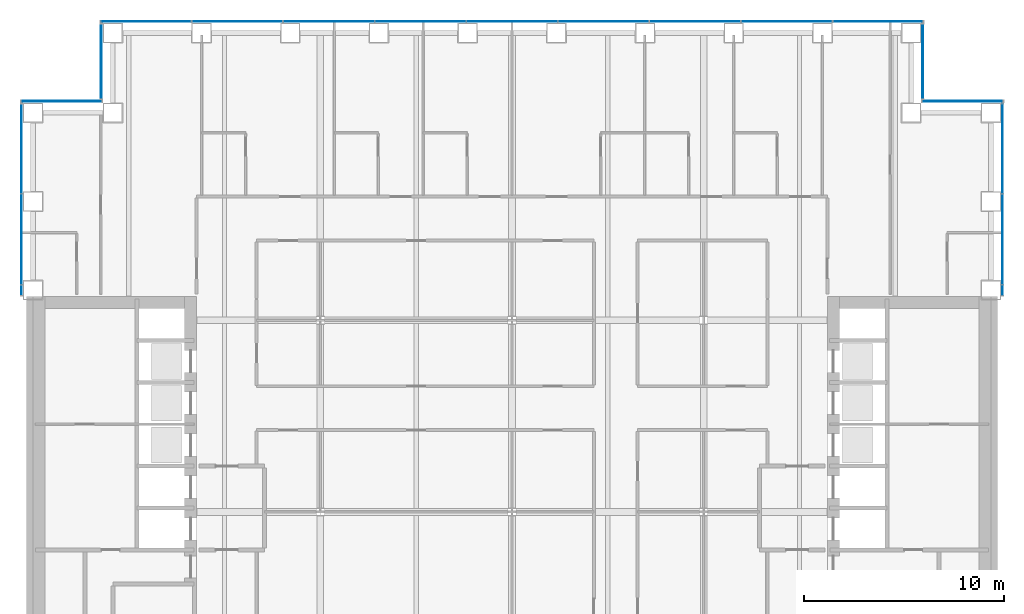
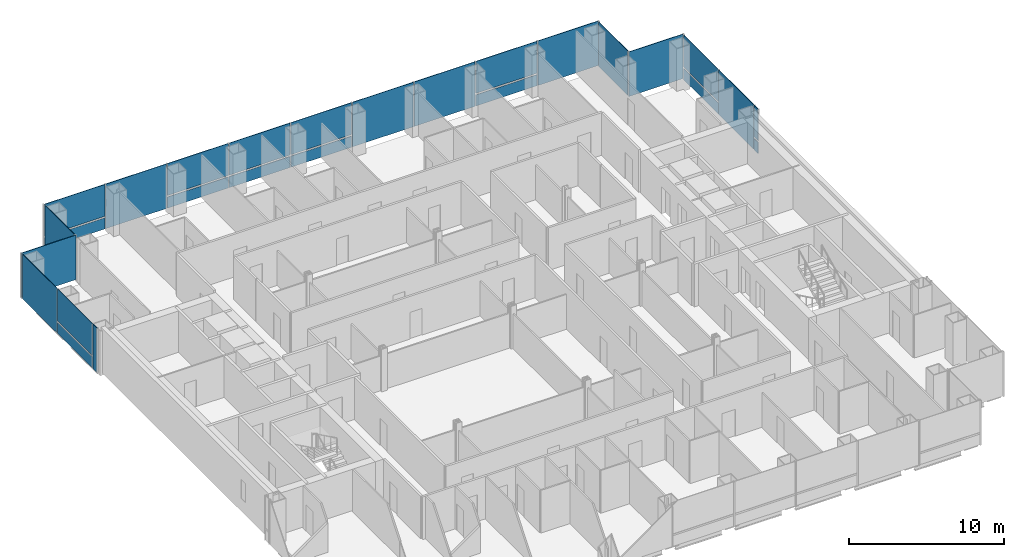
# One storey, part 15 of 23: 27 plates, 7 elements without a shape of their own.
"""IFC4 building model written with IfcOpenShell, lengths in metres."""

import ifcopenshell
import ifcopenshell.guid

model = None  # the IFC model being written
_history = None  # IfcOwnerHistory: only IFC2X3 demands one
_inside = {}  # id of a spatial element -> (the spatial element, [elements in it])
_under = {}  # id of a project, library or spatial element -> (it, [spatial elements below it])
_declared = {}  # id of a project -> (the project, [libraries it declares])
_typed = {}  # id of a type object -> (the type object, [elements of that type])
_made_of = {}  # id of a material, layer set ... -> (it, [elements and type objects made of it])


def new_model(schema):
    """Start an empty IFC model of exactly this schema.

    Asked for "IFC4X3", IfcOpenShell would pick the latest addendum, in which some entities
    have other attributes; the version numbers below select the first issue.
    IFC2X3 requires an IfcOwnerHistory on every rooted entity: one is made here for all.
    """
    global model, _history
    if schema == "IFC4X3":
        model = ifcopenshell.file(schema_version=(4, 3, 0, 0))
    else:
        model = ifcopenshell.file(schema=schema)
    _inside.clear()
    _under.clear()
    _declared.clear()
    _typed.clear()
    _made_of.clear()
    _history = None
    if model.schema == "IFC2X3":
        org = make("IfcOrganization", Name="unknown")
        user = make(
            "IfcPersonAndOrganization",
            ThePerson=make("IfcPerson", FamilyName="unknown"),
            TheOrganization=org,
        )
        app = make(
            "IfcApplication",
            ApplicationDeveloper=org,
            Version="unknown",
            ApplicationFullName="unknown",
            ApplicationIdentifier="unknown",
        )
        _history = make(
            "IfcOwnerHistory",
            OwningUser=user,
            OwningApplication=app,
            ChangeAction="ADDED",
            CreationDate=0,
        )
    return model


def make(cls, **values):
    """One entity of the class cls with the attributes given. An attribute that is None is left unset."""
    return model.create_entity(
        cls, **{name: value for name, value in values.items() if value is not None}
    )


def rooted(cls, **values):
    """An entity with a GlobalId (a new one), such as an element, a storey or a relation."""
    return make(cls, GlobalId=ifcopenshell.guid.new(), OwnerHistory=_history, **values)


def si_unit(unit_type, name, prefix=None):
    """IfcSIUnit, for example si_unit("LENGTHUNIT", "METRE", prefix="MILLI")."""
    return make("IfcSIUnit", UnitType=unit_type, Prefix=prefix, Name=name)


def assignment(units):
    """IfcUnitAssignment: the units of a project."""
    return None if units is None else make("IfcUnitAssignment", Units=units)


def point(xyz):
    """IfcCartesianPoint."""
    return None if xyz is None else make("IfcCartesianPoint", Coordinates=xyz)


def direction(xyz):
    """IfcDirection."""
    return None if xyz is None else make("IfcDirection", DirectionRatios=xyz)


def frame(location, z_axis=None, x_axis=None):
    """IfcAxis2Placement3D, a coordinate frame: its origin and axes. An axis left out is left unset."""
    return make(
        "IfcAxis2Placement3D",
        Location=point(location),
        Axis=direction(z_axis),
        RefDirection=direction(x_axis),
    )


def frame_2d(location, x_axis=None):
    """IfcAxis2Placement2D, a coordinate frame in the plane: its origin and x axis."""
    return make(
        "IfcAxis2Placement2D", Location=point(location), RefDirection=direction(x_axis)
    )


def origin():
    """The frame at (0, 0, 0) with its axes left unset."""
    return frame((0.0, 0.0, 0.0))


def origin_2d():
    """The frame at (0, 0) in the plane with its x axis left unset."""
    return frame_2d((0.0, 0.0))


def place(relative_to, where):
    """IfcLocalPlacement: puts the frame where relative to a parent placement (None: the world)."""
    return make(
        "IfcLocalPlacement", PlacementRelTo=relative_to, RelativePlacement=where
    )


def context(
    kind, dimensions, precision=None, world=None, true_north=None, identifier=None
):
    """IfcGeometricRepresentationContext, for example the 3D "Model" context."""
    return make(
        "IfcGeometricRepresentationContext",
        ContextIdentifier=identifier,
        ContextType=kind,
        CoordinateSpaceDimension=dimensions,
        Precision=precision,
        WorldCoordinateSystem=world,
        TrueNorth=true_north,
    )


def subcontext(parent, identifier, kind, view, scale=None):
    """IfcGeometricRepresentationSubContext, for example "Body" below "Model"."""
    return make(
        "IfcGeometricRepresentationSubContext",
        ContextIdentifier=identifier,
        ContextType=kind,
        ParentContext=parent,
        TargetScale=scale,
        TargetView=view,
    )


def project(units=None, contexts=None):
    """IfcProject with its units and contexts."""
    return rooted(
        "IfcProject",
        Name="project",
        RepresentationContexts=contexts,
        UnitsInContext=assignment(units),
    )


def spatial(cls, under=None, at=None, **own):
    """A site, building, storey or space (cls), placed at a placement, below another one or the project."""
    s = rooted(cls, ObjectPlacement=at, **own)
    if under is not None:
        _under.setdefault(under.id(), (under, []))[1].append(s)
    return s


def profile(cls, at=None, kind="AREA", **sizes):
    """A parametric profile (cls). Its sizes go by their IFC names, for example OverallWidth=200.0."""
    return make(cls, ProfileType=kind, Position=at, **sizes)


def rectangle(**sizes):
    """IfcRectangleProfileDef."""
    return profile("IfcRectangleProfileDef", **sizes)


def extrude(swept, where, along, depth):
    """IfcExtrudedAreaSolid: the profile swept, set in the frame where, extruded along a direction by depth."""
    return make(
        "IfcExtrudedAreaSolid",
        SweptArea=swept,
        Position=where,
        ExtrudedDirection=direction(along),
        Depth=depth,
    )


def shape(context_of_items, identifier, shape_type, items):
    """IfcShapeRepresentation: the items that make up one representation, for example the "Body"."""
    return make(
        "IfcShapeRepresentation",
        ContextOfItems=context_of_items,
        RepresentationIdentifier=identifier,
        RepresentationType=shape_type,
        Items=items,
    )


def material(Name=None, Category=None):
    """IfcMaterial."""
    return make("IfcMaterial", Name=Name, Category=Category)


def layer(
    of_material, thickness, ventilated=None, Name=None, Category=None, Priority=None
):
    """IfcMaterialLayer: one layer of a wall or slab, of a material (None: an air gap)."""
    return make(
        "IfcMaterialLayer",
        Material=of_material,
        LayerThickness=thickness,
        IsVentilated=ventilated,
        Name=Name,
        Category=Category,
        Priority=Priority,
    )


def layer_set(layers, Name=None):
    """IfcMaterialLayerSet."""
    return make("IfcMaterialLayerSet", MaterialLayers=layers, LayerSetName=Name)


def made_of(thing, what):
    """Note that an element or type object is made of a material, layer set ...; save() writes the relation."""
    if what is not None:
        _made_of.setdefault(what.id(), (what, []))[1].append(thing)
    return thing


def type_object(cls, material=None, **own):
    """A type object (cls), such as IfcWallType, which elements share."""
    return made_of(rooted(cls, **own), material)


def element(
    cls,
    number,
    at=None,
    inside=None,
    cuts=None,
    type_object=None,
    material=None,
    context=None,
    identifier="Body",
    shape_type=None,
    held_by="IfcProductDefinitionShape",
    body=None,
    shapes=None,
    **own,
):
    """One element of the class cls, such as IfcWall. Its Tag is "e" and its number.

    at: its placement. inside: the storey or other place that contains it. cuts: it is an
    opening in that element (IfcRelVoidsElement). A single representation is given by context,
    identifier, shape_type and body (its items); several are given by shapes. held_by: the class
    of the entity that holds the representations. save() writes the other relations.
    """
    e = rooted(cls, Tag="e%d" % number, ObjectPlacement=at, **own)
    if body is not None:
        shapes = [shape(context, identifier, shape_type, body)]
    if shapes is not None:
        e.Representation = make(held_by, Representations=shapes)
    if inside is not None:
        _inside.setdefault(inside.id(), (inside, []))[1].append(e)
    if cuts is not None:
        rooted(
            "IfcRelVoidsElement", RelatingBuildingElement=cuts, RelatedOpeningElement=e
        )
    if type_object is not None:
        _typed.setdefault(type_object.id(), (type_object, []))[1].append(e)
    return made_of(e, material)


def aggregate(whole, parts):
    """IfcRelAggregates: a whole, such as a stair, and the parts it consists of."""
    return rooted("IfcRelAggregates", RelatingObject=whole, RelatedObjects=parts)


def save(model, path):
    """Write the relations noted so far, then the file.

    IfcRelAggregates (storeys below a building ...), IfcRelContainedInSpatialStructure (elements
    in a storey), IfcRelDefinesByType, IfcRelAssociatesMaterial and IfcRelDeclares: one each for
    every whole, place, type object, material and project.
    """
    for whole, parts in _under.values():
        aggregate(whole, parts)
    for where, things in _inside.values():
        rooted(
            "IfcRelContainedInSpatialStructure",
            RelatedElements=things,
            RelatingStructure=where,
        )
    for kind, things in _typed.values():
        rooted("IfcRelDefinesByType", RelatedObjects=things, RelatingType=kind)
    for what, things in _made_of.values():
        rooted("IfcRelAssociatesMaterial", RelatedObjects=things, RelatingMaterial=what)
    for by, libraries in _declared.values():
        rooted("IfcRelDeclares", RelatingContext=by, RelatedDefinitions=libraries)
    model.write(path)


model = new_model("IFC4")

# Units and contexts
model_context = context("Model", 3, precision=1e-05, world=origin(), true_north=direction((0.0, 1.0)))
body_context = subcontext(model_context, "Body", "Model", "MODEL_VIEW")
ifc_project = project(units=[si_unit("LENGTHUNIT", "METRE"), si_unit("AREAUNIT", "SQUARE_METRE"), si_unit("VOLUMEUNIT", "CUBIC_METRE"), si_unit("PLANEANGLEUNIT", "RADIAN"), si_unit("MASSUNIT", "GRAM", prefix="KILO")], contexts=[model_context])

# Site, building, storey
site_placement = place(None, origin())
site = spatial("IfcSite", under=ifc_project, at=site_placement, CompositionType="ELEMENT")
building_placement = place(site_placement, origin())
building = spatial("IfcBuilding", under=site, at=building_placement, Name="Cobrizo Arcos Hotel Tower", CompositionType="ELEMENT")
storey_placement = place(building_placement, frame((0.0, 0.0, 49.5)))
storey = spatial("IfcBuildingStorey", under=building, at=storey_placement, Name="L10", CompositionType="ELEMENT", Elevation=49.5)

# Curtain wall, plates
ifc_material_1 = material(Name="Aluminium 6063-T6 anodised bronze", Category="aluminium")
curtain_wall_type = type_object("IfcCurtainWallType", Name="CW-A guest facade", PredefinedType="NOTDEFINED", material=ifc_material_1)
curtain_wall_1_placement = place(storey_placement, origin())
curtain_wall_1 = element("IfcCurtainWall", 1, at=curtain_wall_1_placement, inside=storey, type_object=curtain_wall_type, Name="CW-A L10 E face", PredefinedType="NOTDEFINED")
ifc_material_2 = material(Name="Glass clear laminated low-e", Category="glass")
ifc_layer_1 = layer(ifc_material_2, 0.0400390625)
ifc_layer_set_1 = layer_set([ifc_layer_1], Name="CW-A glass panel")
plate_type_1 = type_object("IfcPlateType", Name="CW-A glass panel", PredefinedType="CURTAIN_PANEL", material=ifc_layer_set_1)
plate_1_placement = place(storey_placement, frame((24.574951171875, 11.109375, 0.990234375), z_axis=(0.0, 0.0, 1.0), x_axis=(0.0, 1.0, 0.0)))
plate_1 = element("IfcPlate", 2, at=plate_1_placement, type_object=plate_type_1, Name="CW-A glass panel 489", PredefinedType="CURTAIN_PANEL", context=body_context, shape_type="SweptSolid", body=[
    extrude(rectangle(XDim=0.498779296875, YDim=0.0400390625, at=origin_2d()), origin(), (0.0, 0.0, 1.0), 2.510009765625),
])
plate_2_placement = place(storey_placement, frame((24.574951171875, 18.207275390625, 0.990234375), z_axis=(0.0, 0.0, 1.0), x_axis=(0.0, 1.0, 0.0)))
plate_2 = element("IfcPlate", 3, at=plate_2_placement, type_object=plate_type_1, Name="CW-A glass panel 491", PredefinedType="CURTAIN_PANEL", context=body_context, shape_type="SweptSolid", body=[
    extrude(rectangle(XDim=4.465576171875, YDim=0.0400390625, at=origin_2d()), origin(), (0.0, 0.0, 1.0), 2.510009765625),
])

curtain_wall_2_placement = place(storey_placement, origin())
curtain_wall_2 = element("IfcCurtainWall", 4, at=curtain_wall_2_placement, inside=storey, type_object=curtain_wall_type, Name="CW-A L10 N face", PredefinedType="NOTDEFINED")
plate_3_placement = place(storey_placement, frame((13.7666015625, 24.574951171875, 0.990234375), z_axis=(0.0, 0.0, 1.0), x_axis=(-1.0, 0.0, 0.0)))
plate_3 = element("IfcPlate", 5, at=plate_3_placement, type_object=plate_type_1, Name="CW-A glass panel 495", PredefinedType="CURTAIN_PANEL", context=body_context, shape_type="SweptSolid", body=[
    extrude(rectangle(XDim=4.52880859375, YDim=0.0400390625, at=origin_2d()), origin(), (0.0, 0.0, 1.0), 2.510009765625),
])
plate_4_placement = place(storey_placement, frame((0.0, 24.574951171875, 0.990234375), z_axis=(0.0, 0.0, 1.0), x_axis=(-1.0, 0.0, 0.0)))
plate_4 = element("IfcPlate", 6, at=plate_4_placement, type_object=plate_type_1, Name="CW-A glass panel 498", PredefinedType="CURTAIN_PANEL", context=body_context, shape_type="SweptSolid", body=[
    extrude(rectangle(XDim=4.52880859375, YDim=0.0400390625, at=origin_2d()), origin(), (0.0, 0.0, 1.0), 2.510009765625),
])
plate_5_placement = place(storey_placement, frame((-4.5888671875, 24.574951171875, 0.990234375), z_axis=(0.0, 0.0, 1.0), x_axis=(-1.0, 0.0, 0.0)))
plate_5 = element("IfcPlate", 7, at=plate_5_placement, type_object=plate_type_1, Name="CW-A glass panel 499", PredefinedType="CURTAIN_PANEL", context=body_context, shape_type="SweptSolid", body=[
    extrude(rectangle(XDim=4.52880859375, YDim=0.0400390625, at=origin_2d()), origin(), (0.0, 0.0, 1.0), 2.510009765625),
])
plate_6_placement = place(storey_placement, frame((-9.177734375, 24.574951171875, 0.990234375), z_axis=(0.0, 0.0, 1.0), x_axis=(-1.0, 0.0, 0.0)))
plate_6 = element("IfcPlate", 8, at=plate_6_placement, type_object=plate_type_1, Name="CW-A glass panel 500", PredefinedType="CURTAIN_PANEL", context=body_context, shape_type="SweptSolid", body=[
    extrude(rectangle(XDim=4.52880859375, YDim=0.0400390625, at=origin_2d()), origin(), (0.0, 0.0, 1.0), 2.510009765625),
])
plate_7_placement = place(storey_placement, frame((-18.340576171875, 24.574951171875, 0.990234375), z_axis=(0.0, 0.0, 1.0), x_axis=(-1.0, 0.0, 0.0)))
plate_7 = element("IfcPlate", 9, at=plate_7_placement, type_object=plate_type_1, Name="CW-A glass panel 502", PredefinedType="CURTAIN_PANEL", context=body_context, shape_type="SweptSolid", body=[
    extrude(rectangle(XDim=4.498779296875, YDim=0.0400390625, at=origin_2d()), origin(), (0.0, 0.0, 1.0), 2.510009765625),
])

# Curtain wall, plate
curtain_wall_3_placement = place(storey_placement, origin())
curtain_wall_3 = element("IfcCurtainWall", 10, at=curtain_wall_3_placement, inside=storey, type_object=curtain_wall_type, Name="CW-A L10 W face", PredefinedType="NOTDEFINED")
plate_8_placement = place(storey_placement, frame((-24.574951171875, 13.666748046875, 0.990234375), z_axis=(0.0, 0.0, 1.0), x_axis=(0.0, -1.0, 0.0)))
plate_8 = element("IfcPlate", 11, at=plate_8_placement, type_object=plate_type_1, Name="CW-A glass panel 506", PredefinedType="CURTAIN_PANEL", context=body_context, shape_type="SweptSolid", body=[
    extrude(rectangle(XDim=4.49560546875, YDim=0.0400390625, at=origin_2d()), origin(), (0.0, 0.0, 1.0), 2.510009765625),
])

# Plate
ifc_material_3 = material(Name="Aluminium composite panel pale metal", Category="aluminium")
ifc_layer_2 = layer(ifc_material_3, 0.0400390625)
ifc_layer_set_2 = layer_set([ifc_layer_2], Name="CW-A spandrel panel")
plate_type_2 = type_object("IfcPlateType", Name="CW-A spandrel panel", PredefinedType="CURTAIN_PANEL", material=ifc_layer_set_2)
plate_9_placement = place(storey_placement, frame((24.574951171875, 11.109375, 0.0), z_axis=(0.0, 0.0, 1.0), x_axis=(0.0, 1.0, 0.0)))
plate_9 = element("IfcPlate", 12, at=plate_9_placement, type_object=plate_type_2, Name="CW-A spandrel panel 489", PredefinedType="CURTAIN_PANEL", context=body_context, shape_type="SweptSolid", body=[
    extrude(rectangle(XDim=0.498779296875, YDim=0.0400390625, at=origin_2d()), origin(), (0.0, 0.0, 1.0), 0.8701171875),
])

plate_10_placement = place(storey_placement, frame((24.574951171875, 13.666748046875, 0.0), z_axis=(0.0, 0.0, 1.0), x_axis=(0.0, 1.0, 0.0)))
plate_10 = element("IfcPlate", 13, at=plate_10_placement, type_object=plate_type_2, Name="CW-A spandrel panel 490", PredefinedType="CURTAIN_PANEL", context=body_context, shape_type="SweptSolid", body=[
    extrude(rectangle(XDim=4.49560546875, YDim=0.0400390625, at=origin_2d()), origin(), (0.0, 0.0, 1.0), 3.5),
])

plate_11_placement = place(storey_placement, frame((24.574951171875, 18.207275390625, 0.0), z_axis=(0.0, 0.0, 1.0), x_axis=(0.0, 1.0, 0.0)))
plate_11 = element("IfcPlate", 14, at=plate_11_placement, type_object=plate_type_2, Name="CW-A spandrel panel 491", PredefinedType="CURTAIN_PANEL", context=body_context, shape_type="SweptSolid", body=[
    extrude(rectangle(XDim=4.465576171875, YDim=0.0400390625, at=origin_2d()), origin(), (0.0, 0.0, 1.0), 0.8701171875),
])

aggregate(curtain_wall_1, [plate_9, plate_1, plate_10, plate_11, plate_2])

# Curtain wall, plate
curtain_wall_4_placement = place(storey_placement, origin())
curtain_wall_4 = element("IfcCurtainWall", 15, at=curtain_wall_4_placement, inside=storey, type_object=curtain_wall_type, Name="CW-A L10 N face", PredefinedType="NOTDEFINED")
plate_12_placement = place(storey_placement, frame((22.574951171875, 20.574951171875, 0.0), z_axis=(0.0, 0.0, 1.0), x_axis=(-1.0, 0.0, 0.0)))
plate_12 = element("IfcPlate", 16, at=plate_12_placement, type_object=plate_type_2, Name="CW-A spandrel panel 492", PredefinedType="CURTAIN_PANEL", context=body_context, shape_type="SweptSolid", body=[
    extrude(rectangle(XDim=4.030029296875, YDim=0.0400390625, at=origin_2d()), origin(), (0.0, 0.0, 1.0), 3.5),
])
aggregate(curtain_wall_4, [plate_12])

curtain_wall_5_placement = place(storey_placement, origin())
curtain_wall_5 = element("IfcCurtainWall", 17, at=curtain_wall_5_placement, inside=storey, type_object=curtain_wall_type, Name="CW-A L10 E face", PredefinedType="NOTDEFINED")
plate_13_placement = place(storey_placement, frame((20.574951171875, 22.574951171875, 0.0), z_axis=(0.0, 0.0, 1.0), x_axis=(0.0, 1.0, 0.0)))
plate_13 = element("IfcPlate", 18, at=plate_13_placement, type_object=plate_type_2, Name="CW-A spandrel panel 493", PredefinedType="CURTAIN_PANEL", context=body_context, shape_type="SweptSolid", body=[
    extrude(rectangle(XDim=3.72998046875, YDim=0.0400390625, at=origin_2d()), origin(), (0.0, 0.0, 1.0), 3.5),
])
aggregate(curtain_wall_5, [plate_13])

# Plate
plate_14_placement = place(storey_placement, frame((18.340576171875, 24.574951171875, 0.0), z_axis=(0.0, 0.0, 1.0), x_axis=(-1.0, 0.0, 0.0)))
plate_14 = element("IfcPlate", 19, at=plate_14_placement, type_object=plate_type_2, Name="CW-A spandrel panel 494", PredefinedType="CURTAIN_PANEL", context=body_context, shape_type="SweptSolid", body=[
    extrude(rectangle(XDim=4.498779296875, YDim=0.0400390625, at=origin_2d()), origin(), (0.0, 0.0, 1.0), 3.5),
])

plate_15_placement = place(storey_placement, frame((13.7666015625, 24.574951171875, 0.0), z_axis=(0.0, 0.0, 1.0), x_axis=(-1.0, 0.0, 0.0)))
plate_15 = element("IfcPlate", 20, at=plate_15_placement, type_object=plate_type_2, Name="CW-A spandrel panel 495", PredefinedType="CURTAIN_PANEL", context=body_context, shape_type="SweptSolid", body=[
    extrude(rectangle(XDim=4.52880859375, YDim=0.0400390625, at=origin_2d()), origin(), (0.0, 0.0, 1.0), 0.8701171875),
])

plate_16_placement = place(storey_placement, frame((9.177734375, 24.574951171875, 0.0), z_axis=(0.0, 0.0, 1.0), x_axis=(-1.0, 0.0, 0.0)))
plate_16 = element("IfcPlate", 21, at=plate_16_placement, type_object=plate_type_2, Name="CW-A spandrel panel 496", PredefinedType="CURTAIN_PANEL", context=body_context, shape_type="SweptSolid", body=[
    extrude(rectangle(XDim=4.52880859375, YDim=0.0400390625, at=origin_2d()), origin(), (0.0, 0.0, 1.0), 3.5),
])

plate_17_placement = place(storey_placement, frame((4.5888671875, 24.574951171875, 0.0), z_axis=(0.0, 0.0, 1.0), x_axis=(-1.0, 0.0, 0.0)))
plate_17 = element("IfcPlate", 22, at=plate_17_placement, type_object=plate_type_2, Name="CW-A spandrel panel 497", PredefinedType="CURTAIN_PANEL", context=body_context, shape_type="SweptSolid", body=[
    extrude(rectangle(XDim=4.52880859375, YDim=0.0400390625, at=origin_2d()), origin(), (0.0, 0.0, 1.0), 3.5),
])

plate_18_placement = place(storey_placement, frame((0.0, 24.574951171875, 0.0), z_axis=(0.0, 0.0, 1.0), x_axis=(-1.0, 0.0, 0.0)))
plate_18 = element("IfcPlate", 23, at=plate_18_placement, type_object=plate_type_2, Name="CW-A spandrel panel 498", PredefinedType="CURTAIN_PANEL", context=body_context, shape_type="SweptSolid", body=[
    extrude(rectangle(XDim=4.52880859375, YDim=0.0400390625, at=origin_2d()), origin(), (0.0, 0.0, 1.0), 0.8701171875),
])

plate_19_placement = place(storey_placement, frame((-4.5888671875, 24.574951171875, 0.0), z_axis=(0.0, 0.0, 1.0), x_axis=(-1.0, 0.0, 0.0)))
plate_19 = element("IfcPlate", 24, at=plate_19_placement, type_object=plate_type_2, Name="CW-A spandrel panel 499", PredefinedType="CURTAIN_PANEL", context=body_context, shape_type="SweptSolid", body=[
    extrude(rectangle(XDim=4.52880859375, YDim=0.0400390625, at=origin_2d()), origin(), (0.0, 0.0, 1.0), 0.8701171875),
])

plate_20_placement = place(storey_placement, frame((-9.177734375, 24.574951171875, 0.0), z_axis=(0.0, 0.0, 1.0), x_axis=(-1.0, 0.0, 0.0)))
plate_20 = element("IfcPlate", 25, at=plate_20_placement, type_object=plate_type_2, Name="CW-A spandrel panel 500", PredefinedType="CURTAIN_PANEL", context=body_context, shape_type="SweptSolid", body=[
    extrude(rectangle(XDim=4.52880859375, YDim=0.0400390625, at=origin_2d()), origin(), (0.0, 0.0, 1.0), 0.8701171875),
])

plate_21_placement = place(storey_placement, frame((-13.7666015625, 24.574951171875, 0.0), z_axis=(0.0, 0.0, 1.0), x_axis=(-1.0, 0.0, 0.0)))
plate_21 = element("IfcPlate", 26, at=plate_21_placement, type_object=plate_type_2, Name="CW-A spandrel panel 501", PredefinedType="CURTAIN_PANEL", context=body_context, shape_type="SweptSolid", body=[
    extrude(rectangle(XDim=4.52880859375, YDim=0.0400390625, at=origin_2d()), origin(), (0.0, 0.0, 1.0), 3.5),
])

plate_22_placement = place(storey_placement, frame((-18.340576171875, 24.574951171875, 0.0), z_axis=(0.0, 0.0, 1.0), x_axis=(-1.0, 0.0, 0.0)))
plate_22 = element("IfcPlate", 27, at=plate_22_placement, type_object=plate_type_2, Name="CW-A spandrel panel 502", PredefinedType="CURTAIN_PANEL", context=body_context, shape_type="SweptSolid", body=[
    extrude(rectangle(XDim=4.498779296875, YDim=0.0400390625, at=origin_2d()), origin(), (0.0, 0.0, 1.0), 0.8701171875),
])

aggregate(curtain_wall_2, [plate_14, plate_15, plate_3, plate_16, plate_17, plate_18, plate_4, plate_19, plate_5, plate_20, plate_6, plate_21, plate_22, plate_7])

# Curtain wall, plate
curtain_wall_6_placement = place(storey_placement, origin())
curtain_wall_6 = element("IfcCurtainWall", 28, at=curtain_wall_6_placement, inside=storey, type_object=curtain_wall_type, Name="CW-A L10 W face", PredefinedType="NOTDEFINED")
plate_23_placement = place(storey_placement, frame((-20.574951171875, 22.574951171875, 0.0), z_axis=(0.0, 0.0, 1.0), x_axis=(0.0, -1.0, 0.0)))
plate_23 = element("IfcPlate", 29, at=plate_23_placement, type_object=plate_type_2, Name="CW-A spandrel panel 503", PredefinedType="CURTAIN_PANEL", context=body_context, shape_type="SweptSolid", body=[
    extrude(rectangle(XDim=3.72998046875, YDim=0.0400390625, at=origin_2d()), origin(), (0.0, 0.0, 1.0), 3.5),
])
aggregate(curtain_wall_6, [plate_23])

curtain_wall_7_placement = place(storey_placement, origin())
curtain_wall_7 = element("IfcCurtainWall", 30, at=curtain_wall_7_placement, inside=storey, type_object=curtain_wall_type, Name="CW-A L10 N face", PredefinedType="NOTDEFINED")
plate_24_placement = place(storey_placement, frame((-22.574951171875, 20.574951171875, 0.0), z_axis=(0.0, 0.0, 1.0), x_axis=(-1.0, 0.0, 0.0)))
plate_24 = element("IfcPlate", 31, at=plate_24_placement, type_object=plate_type_2, Name="CW-A spandrel panel 504", PredefinedType="CURTAIN_PANEL", context=body_context, shape_type="SweptSolid", body=[
    extrude(rectangle(XDim=4.030029296875, YDim=0.0400390625, at=origin_2d()), origin(), (0.0, 0.0, 1.0), 3.5),
])
aggregate(curtain_wall_7, [plate_24])

# Plate
plate_25_placement = place(storey_placement, frame((-24.574951171875, 18.207275390625, 0.0), z_axis=(0.0, 0.0, 1.0), x_axis=(0.0, -1.0, 0.0)))
plate_25 = element("IfcPlate", 32, at=plate_25_placement, type_object=plate_type_2, Name="CW-A spandrel panel 505", PredefinedType="CURTAIN_PANEL", context=body_context, shape_type="SweptSolid", body=[
    extrude(rectangle(XDim=4.465576171875, YDim=0.0400390625, at=origin_2d()), origin(), (0.0, 0.0, 1.0), 3.5),
])

plate_26_placement = place(storey_placement, frame((-24.574951171875, 13.666748046875, 0.0), z_axis=(0.0, 0.0, 1.0), x_axis=(0.0, -1.0, 0.0)))
plate_26 = element("IfcPlate", 33, at=plate_26_placement, type_object=plate_type_2, Name="CW-A spandrel panel 506", PredefinedType="CURTAIN_PANEL", context=body_context, shape_type="SweptSolid", body=[
    extrude(rectangle(XDim=4.49560546875, YDim=0.0400390625, at=origin_2d()), origin(), (0.0, 0.0, 1.0), 0.8701171875),
])

plate_27_placement = place(storey_placement, frame((-24.574951171875, 11.109375, 0.0), z_axis=(0.0, 0.0, 1.0), x_axis=(0.0, -1.0, 0.0)))
plate_27 = element("IfcPlate", 34, at=plate_27_placement, type_object=plate_type_2, Name="CW-A spandrel panel 507", PredefinedType="CURTAIN_PANEL", context=body_context, shape_type="SweptSolid", body=[
    extrude(rectangle(XDim=0.498779296875, YDim=0.0400390625, at=origin_2d()), origin(), (0.0, 0.0, 1.0), 3.5),
])

aggregate(curtain_wall_3, [plate_25, plate_26, plate_8, plate_27])

save(model, "model.ifc")
